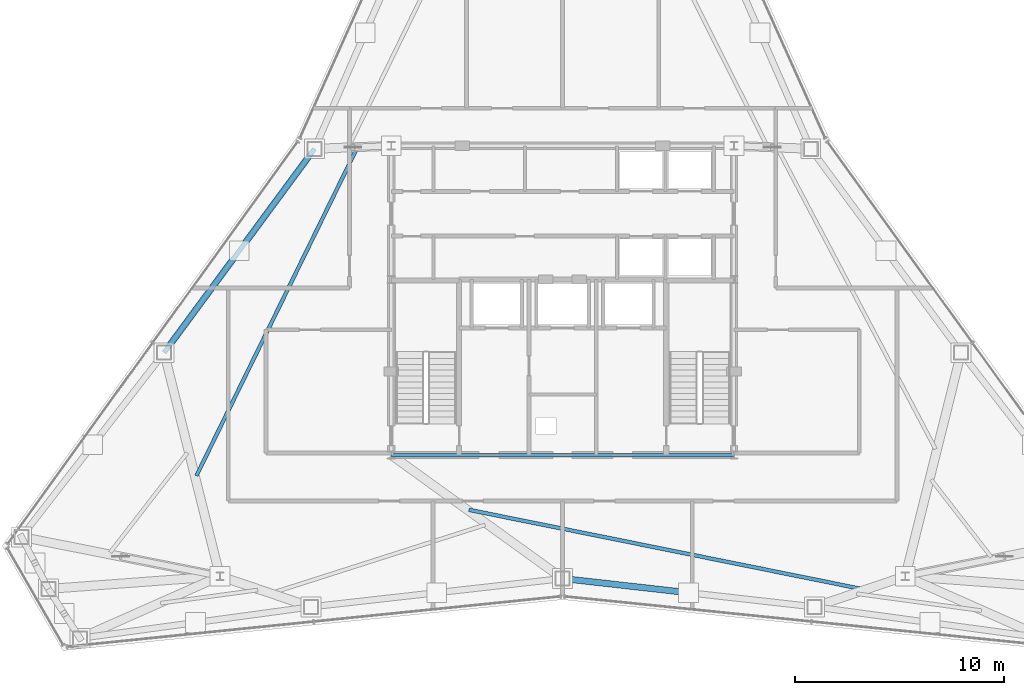
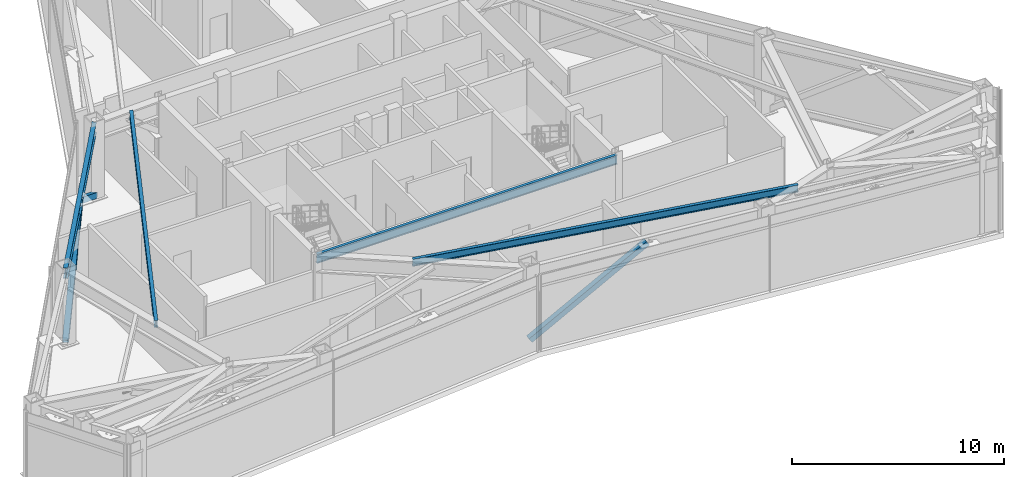
# One storey, part 4 of 12: 4 beams, 3 members.
"""IFC4 building model written with IfcOpenShell, lengths in metres."""

from ifc_helpers import new_model, si_unit, direction, frame, origin, origin_2d, place, context, subcontext, project, spatial, hollow_rectangle, i_section, extrude, source, transform, mapped, material, material_profile, profile_set, type_object, type_shapes, element, save


model = new_model("IFC4")

# Units and contexts
model_context = context("Model", 3, precision=1e-05, world=origin(), true_north=direction((0.0, 1.0)))
body_context = subcontext(model_context, "Body", "Model", "MODEL_VIEW")
ifc_project = project(units=[si_unit("LENGTHUNIT", "METRE"), si_unit("AREAUNIT", "SQUARE_METRE"), si_unit("VOLUMEUNIT", "CUBIC_METRE"), si_unit("PLANEANGLEUNIT", "RADIAN"), si_unit("MASSUNIT", "GRAM", prefix="KILO")], contexts=[model_context])

# Site, building, storey
site_placement = place(None, origin())
site = spatial("IfcSite", under=ifc_project, at=site_placement, CompositionType="ELEMENT")
building_placement = place(site_placement, origin())
building = spatial("IfcBuilding", under=site, at=building_placement, Name="Varakhsha Concourse Tower", CompositionType="ELEMENT")
storey_placement = place(building_placement, frame((0.0, 0.0, 250.39990234375)))
storey = spatial("IfcBuildingStorey", under=building, at=storey_placement, Name="L71", CompositionType="ELEMENT", Elevation=250.39990234375)

# Beams
ifc_material_1 = material(Name="Structural Steel ASTM A992 Grade 50", Category="steel")
ifc_material_profile_1 = material_profile(ifc_material_1, i_section(OverallWidth=0.177978515625, OverallDepth=0.406982421875, WebThickness=0.008056640625, FlangeThickness=0.012939453125, at=origin_2d()), Name="W16X40")
ifc_profile_set_1 = profile_set([ifc_material_profile_1], Name="Structural Steel ASTM A992 Grade 50")
beam_type_1 = type_object("IfcBeamType", Name="BM-JST-W16X40", PredefinedType="JOIST", material=ifc_profile_set_1)
beam_1_placement = place(storey_placement, frame((30.135009765625, 31.03759765625, 4.146484375), z_axis=(-0.440148570634, -0.897924961101, 0.0), x_axis=(0.897924961101, -0.440148570634, 0.0)))
element("IfcBeam", 1, at=beam_1_placement, inside=storey, type_object=beam_type_1, Name="BM-TJST-L71-05", PredefinedType="JOIST", context=body_context, shape_type="SweptSolid", body=[
    extrude(i_section(OverallWidth=0.177978515625, OverallDepth=0.406982421875, WebThickness=0.008056640625, FlangeThickness=0.012939453125, at=origin_2d()), origin(), (0.0, 0.0, 1.0), 17.4091796875),
])
beam_2_placement = place(storey_placement, frame((35.515869140625, 13.77734375, 4.146484375), z_axis=(0.980297103214, -0.197528705334, 0.0), x_axis=(0.197528705334, 0.980297103214, 0.0)))
element("IfcBeam", 2, at=beam_2_placement, inside=storey, type_object=beam_type_1, Name="BM-TJST-L71-11", PredefinedType="JOIST", context=body_context, shape_type="SweptSolid", body=[
    extrude(i_section(OverallWidth=0.177978515625, OverallDepth=0.406982421875, WebThickness=0.008056640625, FlangeThickness=0.012939453125, at=origin_2d()), origin(), (0.0, 0.0, 1.0), 19.24169921875),
])
ifc_material_profile_2 = material_profile(ifc_material_1, i_section(OverallWidth=0.1669921875, OverallDepth=0.534912109375, WebThickness=0.010009765625, FlangeThickness=0.01708984375, at=origin_2d()), Name="W21X57")
ifc_profile_set_2 = profile_set([ifc_material_profile_2], Name="Structural Steel ASTM A992 Grade 50")
beam_type_2 = type_object("IfcBeamType", Name="BM-RAD-W21X57", PredefinedType="BEAM", material=ifc_profile_set_2)
beam_3_placement = place(storey_placement, frame((31.800048828125, 16.39990234375, 4.08251953125), z_axis=(1.0, 0.0, 0.0), x_axis=(0.0, 1.0, 0.0)))
element("IfcBeam", 3, at=beam_3_placement, inside=storey, type_object=beam_type_2, Name="BM-TCORE-L71-CS", PredefinedType="BEAM", context=body_context, shape_type="SweptSolid", body=[
    extrude(i_section(OverallWidth=0.1669921875, OverallDepth=0.534912109375, WebThickness=0.010009765625, FlangeThickness=0.01708984375, at=origin_2d()), origin(), (0.0, 0.0, 1.0), 16.39990234375),
])
ifc_material_profile_3 = material_profile(ifc_material_1, i_section(OverallWidth=0.22900390625, OverallDepth=0.612060546875, WebThickness=0.011962890625, FlangeThickness=0.02001953125, at=origin_2d()), Name="W24X84")
ifc_profile_set_3 = profile_set([ifc_material_profile_3], Name="Structural Steel ASTM A992 Grade 50")
beam_type_3 = type_object("IfcBeamType", Name="BM-SPAN-W24X84", PredefinedType="SPANDREL", material=ifc_profile_set_3)
beam_4_placement = place(storey_placement, frame((28.125732421875, 31.0556640625, 4.044189453125), z_axis=(-0.593635055484, -0.804734379097, 0.0), x_axis=(0.804734379097, -0.593635055484, 0.0)))
element("IfcBeam", 4, at=beam_4_placement, inside=storey, type_object=beam_type_3, Name="BM-SPAN-L71-05", PredefinedType="SPANDREL", context=body_context, shape_type="SweptSolid", body=[
    extrude(i_section(OverallWidth=0.22900390625, OverallDepth=0.612060546875, WebThickness=0.011962890625, FlangeThickness=0.02001953125, at=origin_2d()), origin(), (0.0, 0.0, 1.0), 12.126220703125),
])

# Members
ifc_material_2 = material(Name="Structural Steel ASTM A500 Grade C", Category="steel")
ifc_material_profile_4 = material_profile(ifc_material_2, hollow_rectangle(XDim=0.300048828125, YDim=0.300048828125, WallThickness=0.013916015625, at=origin_2d()), Name="HSS 300x300x14")
ifc_profile_set_4 = profile_set([ifc_material_profile_4], Name="Structural Steel ASTM A500 Grade C")
member_type = type_object("IfcMemberType", Name="MB-BELT-HSS300", PredefinedType="BRACE", material=ifc_profile_set_4)
shared_shape = source(origin(), body_context, "Body", "SweptSolid", [
    extrude(hollow_rectangle(XDim=0.300048828125, YDim=0.300048828125, WallThickness=0.013916015625, at=origin_2d()), origin(), (0.0, 0.0, 1.0), 7.225341796875),
])
type_shapes(member_type, [shared_shape])
for number, where, z_axis, x_axis, name in (
    (5, (28.125732421875, 31.0556640625, 0.1201171875), (-0.498156863694, -0.675280805869, 0.543907687369), (0.80472476098, -0.593648093626, 0.0), "L71 Belt Truss Chevron 05A"),
    (6, (20.92724609375, 21.29736328125, 0.1201171875), (0.498131458852, 0.675292172376, 0.543916842569), (-0.804743997233, 0.593622016873, 0.0), "L71 Belt Truss Chevron 05B"),
    (7, (40.0, 10.48876953125, 0.1201171875), (0.833889408027, -0.093765675565, 0.543908497144), (0.11173960136, 0.993737521425, 0.0), "L71 Belt Truss Chevron 11A"),
):
    element("IfcMember", number, at=place(storey_placement, frame(where, z_axis=z_axis, x_axis=x_axis)), inside=storey, type_object=member_type, Name=name, PredefinedType="BRACE", context=body_context, shape_type="MappedRepresentation", body=[
        mapped(shared_shape, transform((0.0, 0.0, 0.0), scale=1.0)),
    ])

save(model, "model.ifc")
